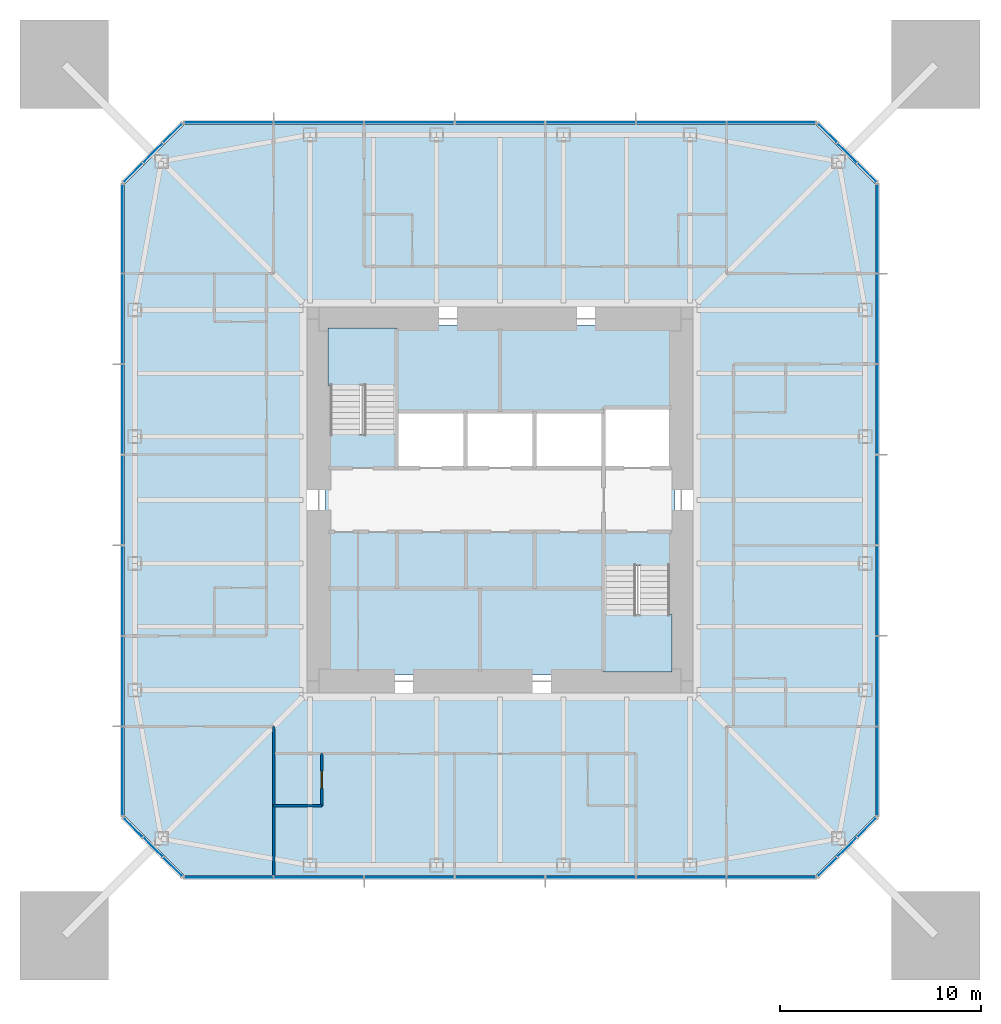
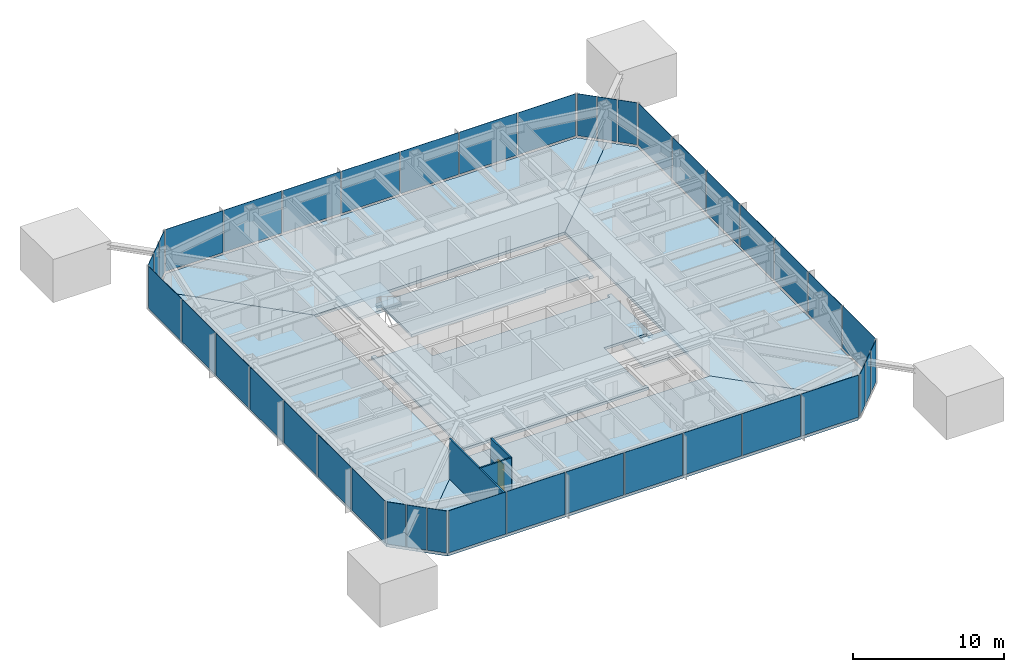
# One storey, part 5 of 11: 40 plates, 8 slabs, 3 walls, 1 door, 1 opening, 10 elements without a shape of their own.
"""IFC4 building model written with IfcOpenShell, lengths in metres."""

import ifcopenshell
import ifcopenshell.guid

model = None  # the IFC model being written
_history = None  # IfcOwnerHistory: only IFC2X3 demands one
_inside = {}  # id of a spatial element -> (the spatial element, [elements in it])
_under = {}  # id of a project, library or spatial element -> (it, [spatial elements below it])
_declared = {}  # id of a project -> (the project, [libraries it declares])
_typed = {}  # id of a type object -> (the type object, [elements of that type])
_made_of = {}  # id of a material, layer set ... -> (it, [elements and type objects made of it])


def new_model(schema):
    """Start an empty IFC model of exactly this schema.

    Asked for "IFC4X3", IfcOpenShell would pick the latest addendum, in which some entities
    have other attributes; the version numbers below select the first issue.
    IFC2X3 requires an IfcOwnerHistory on every rooted entity: one is made here for all.
    """
    global model, _history
    if schema == "IFC4X3":
        model = ifcopenshell.file(schema_version=(4, 3, 0, 0))
    else:
        model = ifcopenshell.file(schema=schema)
    _inside.clear()
    _under.clear()
    _declared.clear()
    _typed.clear()
    _made_of.clear()
    _history = None
    if model.schema == "IFC2X3":
        org = make("IfcOrganization", Name="unknown")
        user = make(
            "IfcPersonAndOrganization",
            ThePerson=make("IfcPerson", FamilyName="unknown"),
            TheOrganization=org,
        )
        app = make(
            "IfcApplication",
            ApplicationDeveloper=org,
            Version="unknown",
            ApplicationFullName="unknown",
            ApplicationIdentifier="unknown",
        )
        _history = make(
            "IfcOwnerHistory",
            OwningUser=user,
            OwningApplication=app,
            ChangeAction="ADDED",
            CreationDate=0,
        )
    return model


def make(cls, **values):
    """One entity of the class cls with the attributes given. An attribute that is None is left unset."""
    return model.create_entity(
        cls, **{name: value for name, value in values.items() if value is not None}
    )


def rooted(cls, **values):
    """An entity with a GlobalId (a new one), such as an element, a storey or a relation."""
    return make(cls, GlobalId=ifcopenshell.guid.new(), OwnerHistory=_history, **values)


def si_unit(unit_type, name, prefix=None):
    """IfcSIUnit, for example si_unit("LENGTHUNIT", "METRE", prefix="MILLI")."""
    return make("IfcSIUnit", UnitType=unit_type, Prefix=prefix, Name=name)


def assignment(units):
    """IfcUnitAssignment: the units of a project."""
    return None if units is None else make("IfcUnitAssignment", Units=units)


def point(xyz):
    """IfcCartesianPoint."""
    return None if xyz is None else make("IfcCartesianPoint", Coordinates=xyz)


def direction(xyz):
    """IfcDirection."""
    return None if xyz is None else make("IfcDirection", DirectionRatios=xyz)


def frame(location, z_axis=None, x_axis=None):
    """IfcAxis2Placement3D, a coordinate frame: its origin and axes. An axis left out is left unset."""
    return make(
        "IfcAxis2Placement3D",
        Location=point(location),
        Axis=direction(z_axis),
        RefDirection=direction(x_axis),
    )


def frame_2d(location, x_axis=None):
    """IfcAxis2Placement2D, a coordinate frame in the plane: its origin and x axis."""
    return make(
        "IfcAxis2Placement2D", Location=point(location), RefDirection=direction(x_axis)
    )


def origin():
    """The frame at (0, 0, 0) with its axes left unset."""
    return frame((0.0, 0.0, 0.0))


def origin_2d():
    """The frame at (0, 0) in the plane with its x axis left unset."""
    return frame_2d((0.0, 0.0))


def place(relative_to, where):
    """IfcLocalPlacement: puts the frame where relative to a parent placement (None: the world)."""
    return make(
        "IfcLocalPlacement", PlacementRelTo=relative_to, RelativePlacement=where
    )


def context(
    kind, dimensions, precision=None, world=None, true_north=None, identifier=None
):
    """IfcGeometricRepresentationContext, for example the 3D "Model" context."""
    return make(
        "IfcGeometricRepresentationContext",
        ContextIdentifier=identifier,
        ContextType=kind,
        CoordinateSpaceDimension=dimensions,
        Precision=precision,
        WorldCoordinateSystem=world,
        TrueNorth=true_north,
    )


def subcontext(parent, identifier, kind, view, scale=None):
    """IfcGeometricRepresentationSubContext, for example "Body" below "Model"."""
    return make(
        "IfcGeometricRepresentationSubContext",
        ContextIdentifier=identifier,
        ContextType=kind,
        ParentContext=parent,
        TargetScale=scale,
        TargetView=view,
    )


def project(units=None, contexts=None):
    """IfcProject with its units and contexts."""
    return rooted(
        "IfcProject",
        Name="project",
        RepresentationContexts=contexts,
        UnitsInContext=assignment(units),
    )


def spatial(cls, under=None, at=None, **own):
    """A site, building, storey or space (cls), placed at a placement, below another one or the project."""
    s = rooted(cls, ObjectPlacement=at, **own)
    if under is not None:
        _under.setdefault(under.id(), (under, []))[1].append(s)
    return s


def polyline(points):
    """IfcPolyline through the points."""
    return make("IfcPolyline", Points=[point(p) for p in points])


def profile(cls, at=None, kind="AREA", **sizes):
    """A parametric profile (cls). Its sizes go by their IFC names, for example OverallWidth=200.0."""
    return make(cls, ProfileType=kind, Position=at, **sizes)


def rectangle(**sizes):
    """IfcRectangleProfileDef."""
    return profile("IfcRectangleProfileDef", **sizes)


def outline(outer, holes=None, kind="AREA"):
    """IfcArbitraryClosedProfileDef: a profile drawn as a closed curve; with holes, ...WithVoids."""
    if holes is None:
        return make("IfcArbitraryClosedProfileDef", ProfileType=kind, OuterCurve=outer)
    return make(
        "IfcArbitraryProfileDefWithVoids",
        ProfileType=kind,
        OuterCurve=outer,
        InnerCurves=holes,
    )


def extrude(swept, where, along, depth):
    """IfcExtrudedAreaSolid: the profile swept, set in the frame where, extruded along a direction by depth."""
    return make(
        "IfcExtrudedAreaSolid",
        SweptArea=swept,
        Position=where,
        ExtrudedDirection=direction(along),
        Depth=depth,
    )


def shape(context_of_items, identifier, shape_type, items):
    """IfcShapeRepresentation: the items that make up one representation, for example the "Body"."""
    return make(
        "IfcShapeRepresentation",
        ContextOfItems=context_of_items,
        RepresentationIdentifier=identifier,
        RepresentationType=shape_type,
        Items=items,
    )


def material(Name=None, Category=None):
    """IfcMaterial."""
    return make("IfcMaterial", Name=Name, Category=Category)


def layer(
    of_material, thickness, ventilated=None, Name=None, Category=None, Priority=None
):
    """IfcMaterialLayer: one layer of a wall or slab, of a material (None: an air gap)."""
    return make(
        "IfcMaterialLayer",
        Material=of_material,
        LayerThickness=thickness,
        IsVentilated=ventilated,
        Name=Name,
        Category=Category,
        Priority=Priority,
    )


def layer_set(layers, Name=None):
    """IfcMaterialLayerSet."""
    return make("IfcMaterialLayerSet", MaterialLayers=layers, LayerSetName=Name)


def constituent(of_material, Name=None, Category=None, fraction=None):
    """IfcMaterialConstituent: one of the materials an element consists of."""
    return make(
        "IfcMaterialConstituent",
        Name=Name,
        Material=of_material,
        Fraction=fraction,
        Category=Category,
    )


def constituent_set(constituents=None, Name=None):
    """IfcMaterialConstituentSet."""
    return make(
        "IfcMaterialConstituentSet", Name=Name, MaterialConstituents=constituents
    )


def made_of(thing, what):
    """Note that an element or type object is made of a material, layer set ...; save() writes the relation."""
    if what is not None:
        _made_of.setdefault(what.id(), (what, []))[1].append(thing)
    return thing


def type_object(cls, material=None, **own):
    """A type object (cls), such as IfcWallType, which elements share."""
    return made_of(rooted(cls, **own), material)


def element(
    cls,
    number,
    at=None,
    inside=None,
    cuts=None,
    type_object=None,
    material=None,
    context=None,
    identifier="Body",
    shape_type=None,
    held_by="IfcProductDefinitionShape",
    body=None,
    shapes=None,
    **own,
):
    """One element of the class cls, such as IfcWall. Its Tag is "e" and its number.

    at: its placement. inside: the storey or other place that contains it. cuts: it is an
    opening in that element (IfcRelVoidsElement). A single representation is given by context,
    identifier, shape_type and body (its items); several are given by shapes. held_by: the class
    of the entity that holds the representations. save() writes the other relations.
    """
    e = rooted(cls, Tag="e%d" % number, ObjectPlacement=at, **own)
    if body is not None:
        shapes = [shape(context, identifier, shape_type, body)]
    if shapes is not None:
        e.Representation = make(held_by, Representations=shapes)
    if inside is not None:
        _inside.setdefault(inside.id(), (inside, []))[1].append(e)
    if cuts is not None:
        rooted(
            "IfcRelVoidsElement", RelatingBuildingElement=cuts, RelatedOpeningElement=e
        )
    if type_object is not None:
        _typed.setdefault(type_object.id(), (type_object, []))[1].append(e)
    return made_of(e, material)


def fill(opening, filler):
    """IfcRelFillsElement: the door or window that sits in an opening."""
    return rooted(
        "IfcRelFillsElement",
        RelatingOpeningElement=opening,
        RelatedBuildingElement=filler,
    )


def aggregate(whole, parts):
    """IfcRelAggregates: a whole, such as a stair, and the parts it consists of."""
    return rooted("IfcRelAggregates", RelatingObject=whole, RelatedObjects=parts)


def save(model, path):
    """Write the relations noted so far, then the file.

    IfcRelAggregates (storeys below a building ...), IfcRelContainedInSpatialStructure (elements
    in a storey), IfcRelDefinesByType, IfcRelAssociatesMaterial and IfcRelDeclares: one each for
    every whole, place, type object, material and project.
    """
    for whole, parts in _under.values():
        aggregate(whole, parts)
    for where, things in _inside.values():
        rooted(
            "IfcRelContainedInSpatialStructure",
            RelatedElements=things,
            RelatingStructure=where,
        )
    for kind, things in _typed.values():
        rooted("IfcRelDefinesByType", RelatedObjects=things, RelatingType=kind)
    for what, things in _made_of.values():
        rooted("IfcRelAssociatesMaterial", RelatedObjects=things, RelatingMaterial=what)
    for by, libraries in _declared.values():
        rooted("IfcRelDeclares", RelatingContext=by, RelatedDefinitions=libraries)
    model.write(path)


model = new_model("IFC4")

# Units and contexts
model_context = context("Model", 3, precision=1e-05, world=origin(), true_north=direction((0.0, 1.0)))
body_context = subcontext(model_context, "Body", "Model", "MODEL_VIEW")
ifc_project = project(units=[si_unit("LENGTHUNIT", "METRE"), si_unit("AREAUNIT", "SQUARE_METRE"), si_unit("VOLUMEUNIT", "CUBIC_METRE"), si_unit("PLANEANGLEUNIT", "RADIAN"), si_unit("MASSUNIT", "GRAM", prefix="KILO")], contexts=[model_context])

# Site, building, storey
site_placement = place(None, origin())
site = spatial("IfcSite", under=ifc_project, at=site_placement, CompositionType="ELEMENT")
building_placement = place(site_placement, origin())
building = spatial("IfcBuilding", under=site, at=building_placement, Name="Iwan Alto Co-Living Towers", CompositionType="ELEMENT")
storey_placement = place(building_placement, frame((0.0, 0.0, 195.0)))
storey = spatial("IfcBuildingStorey", under=building, at=storey_placement, Name="L53", CompositionType="ELEMENT", Elevation=195.0)

# Slabs
ifc_material_1 = material(Name="Concrete f'c 30 MPa", Category="concrete")
ifc_layer_1 = layer(ifc_material_1, 0.199951171875)
ifc_layer_set_1 = layer_set([ifc_layer_1], Name="CORE FLOOR SLAB 200")
slab_type_1 = type_object("IfcSlabType", Name="CORE FLOOR SLAB 200", PredefinedType="FLOOR", material=ifc_layer_set_1)
slab_1_placement = place(storey_placement, frame((0.0, 0.0, -0.199951171875)))
element("IfcSlab", 1, at=slab_1_placement, inside=storey, type_object=slab_type_1, Name="T1 core floor L53", PredefinedType="FLOOR", context=body_context, shape_type="SweptSolid", body=[
    extrude(outline(polyline([(5.14990234375, -8.39990234375), (5.4599609375, -8.39990234375), (5.4599609375, -8.699951171875), (-8.699951171875, -8.699951171875), (-8.699951171875, 3.580078125), (-8.39990234375, 3.580078125), (-8.39990234375, 3.27001953125), (-5.14990234375, 3.27001953125), (-5.14990234375, 1.60009765625), (-1.717041015625, 1.60009765625), (1.717041015625, 1.60009765625), (5.14990234375, 1.60009765625), (8.39990234375, 1.60009765625), (8.39990234375, 1.909912109375), (8.699951171875, 1.909912109375), (8.699951171875, -3.580078125), (8.39990234375, -3.580078125), (8.39990234375, -3.27001953125), (5.14990234375, -3.27001953125), (5.14990234375, -8.39990234375)])), origin(), (0.0, 0.0, 1.0), 0.199951171875),
])
slab_2_placement = place(storey_placement, frame((0.0, 0.0, -0.199951171875)))
element("IfcSlab", 2, at=slab_2_placement, inside=storey, type_object=slab_type_1, Name="T1 core floor L53", PredefinedType="FLOOR", context=body_context, shape_type="SweptSolid", body=[
    extrude(outline(polyline([(1.717041015625, 4.39990234375), (-1.717041015625, 4.39990234375), (-5.14990234375, 4.39990234375), (-5.14990234375, 8.39990234375), (-5.4599609375, 8.39990234375), (-5.4599609375, 8.699951171875), (8.699951171875, 8.699951171875), (8.699951171875, 4.2900390625), (8.39990234375, 4.2900390625), (8.39990234375, 4.60009765625), (5.14990234375, 4.60009765625), (5.14990234375, 4.39990234375), (1.717041015625, 4.39990234375)])), origin(), (0.0, 0.0, 1.0), 0.199951171875),
])

# Curtain wall, plates
ifc_material_2 = material(Name="Bronze aluminium unitised frame", Category="aluminium")
curtain_wall_type_1 = type_object("IfcCurtainWallType", Name="CURTAIN WALL CW-A", PredefinedType="NOTDEFINED", material=ifc_material_2)
curtain_wall_1_placement = place(storey_placement, origin())
curtain_wall_1 = element("IfcCurtainWall", 3, at=curtain_wall_1_placement, inside=storey, type_object=curtain_wall_type_1, Name="T1 curtain wall S L53", PredefinedType="NOTDEFINED")
ifc_material_3 = material(Name="Bronze-tinted insulating glass", Category="glass")
ifc_layer_2 = layer(ifc_material_3, 0.031982421875)
ifc_layer_set_2 = layer_set([ifc_layer_2], Name="CW-A PANEL TINTED IGU 32")
plate_type_1 = type_object("IfcPlateType", Name="CW-A PANEL TINTED IGU 32", PredefinedType="CURTAIN_PANEL", material=ifc_layer_set_2)
plate_1_placement = place(storey_placement, frame((-13.47998046875, -18.75, 0.10009765625), z_axis=(0.0, 0.0, 1.0), x_axis=(1.0, 0.0, 0.0)))
plate_1 = element("IfcPlate", 4, at=plate_1_placement, type_object=plate_type_1, Name="CW-A panel 1.1", PredefinedType="CURTAIN_PANEL", context=body_context, shape_type="SweptSolid", body=[
    extrude(rectangle(XDim=4.3798828125, YDim=0.031982421875, at=origin_2d()), origin(), (0.0, 0.0, 1.0), 3.39990234375),
])
plate_2_placement = place(storey_placement, frame((-9.0, -18.75, 0.10009765625), z_axis=(0.0, 0.0, 1.0), x_axis=(1.0, 0.0, 0.0)))
plate_2 = element("IfcPlate", 5, at=plate_2_placement, type_object=plate_type_1, Name="CW-A panel 2.1", PredefinedType="CURTAIN_PANEL", context=body_context, shape_type="SweptSolid", body=[
    extrude(rectangle(XDim=4.419921875, YDim=0.031982421875, at=origin_2d()), origin(), (0.0, 0.0, 1.0), 3.39990234375),
])
plate_3_placement = place(storey_placement, frame((-4.5, -18.75, 0.10009765625), z_axis=(0.0, 0.0, 1.0), x_axis=(1.0, 0.0, 0.0)))
plate_3 = element("IfcPlate", 6, at=plate_3_placement, type_object=plate_type_1, Name="CW-A panel 3.1", PredefinedType="CURTAIN_PANEL", context=body_context, shape_type="SweptSolid", body=[
    extrude(rectangle(XDim=4.419921875, YDim=0.031982421875, at=origin_2d()), origin(), (0.0, 0.0, 1.0), 3.39990234375),
])
plate_4_placement = place(storey_placement, frame((0.0, -18.75, 0.10009765625), z_axis=(0.0, 0.0, 1.0), x_axis=(1.0, 0.0, 0.0)))
plate_4 = element("IfcPlate", 7, at=plate_4_placement, type_object=plate_type_1, Name="CW-A panel 4.1", PredefinedType="CURTAIN_PANEL", context=body_context, shape_type="SweptSolid", body=[
    extrude(rectangle(XDim=4.419921875, YDim=0.031982421875, at=origin_2d()), origin(), (0.0, 0.0, 1.0), 3.39990234375),
])
plate_5_placement = place(storey_placement, frame((4.5, -18.75, 0.10009765625), z_axis=(0.0, 0.0, 1.0), x_axis=(1.0, 0.0, 0.0)))
plate_5 = element("IfcPlate", 8, at=plate_5_placement, type_object=plate_type_1, Name="CW-A panel 5.1", PredefinedType="CURTAIN_PANEL", context=body_context, shape_type="SweptSolid", body=[
    extrude(rectangle(XDim=4.419921875, YDim=0.031982421875, at=origin_2d()), origin(), (0.0, 0.0, 1.0), 3.39990234375),
])
plate_6_placement = place(storey_placement, frame((9.0, -18.75, 0.10009765625), z_axis=(0.0, 0.0, 1.0), x_axis=(1.0, 0.0, 0.0)))
plate_6 = element("IfcPlate", 9, at=plate_6_placement, type_object=plate_type_1, Name="CW-A panel 6.1", PredefinedType="CURTAIN_PANEL", context=body_context, shape_type="SweptSolid", body=[
    extrude(rectangle(XDim=4.419921875, YDim=0.031982421875, at=origin_2d()), origin(), (0.0, 0.0, 1.0), 3.39990234375),
])
plate_7_placement = place(storey_placement, frame((13.47998046875, -18.75, 0.10009765625), z_axis=(0.0, 0.0, 1.0), x_axis=(1.0, 0.0, 0.0)))
plate_7 = element("IfcPlate", 10, at=plate_7_placement, type_object=plate_type_1, Name="CW-A panel 7.1", PredefinedType="CURTAIN_PANEL", context=body_context, shape_type="SweptSolid", body=[
    extrude(rectangle(XDim=4.3798828125, YDim=0.031982421875, at=origin_2d()), origin(), (0.0, 0.0, 1.0), 3.39990234375),
])
aggregate(curtain_wall_1, [plate_1, plate_2, plate_3, plate_4, plate_5, plate_6, plate_7])

curtain_wall_2_placement = place(storey_placement, origin())
curtain_wall_2 = element("IfcCurtainWall", 11, at=curtain_wall_2_placement, inside=storey, type_object=curtain_wall_type_1, Name="T1 curtain wall E L53", PredefinedType="NOTDEFINED")
plate_8_placement = place(storey_placement, frame((18.75, -13.47998046875, 0.10009765625), z_axis=(0.0, 0.0, 1.0), x_axis=(0.0, 1.0, 0.0)))
plate_8 = element("IfcPlate", 12, at=plate_8_placement, type_object=plate_type_1, Name="CW-A panel 1.1", PredefinedType="CURTAIN_PANEL", context=body_context, shape_type="SweptSolid", body=[
    extrude(rectangle(XDim=4.3798828125, YDim=0.031982421875, at=origin_2d()), origin(), (0.0, 0.0, 1.0), 3.39990234375),
])
plate_9_placement = place(storey_placement, frame((18.75, -9.0, 0.10009765625), z_axis=(0.0, 0.0, 1.0), x_axis=(0.0, 1.0, 0.0)))
plate_9 = element("IfcPlate", 13, at=plate_9_placement, type_object=plate_type_1, Name="CW-A panel 2.1", PredefinedType="CURTAIN_PANEL", context=body_context, shape_type="SweptSolid", body=[
    extrude(rectangle(XDim=4.419921875, YDim=0.031982421875, at=origin_2d()), origin(), (0.0, 0.0, 1.0), 3.39990234375),
])
plate_10_placement = place(storey_placement, frame((18.75, -4.5, 0.10009765625), z_axis=(0.0, 0.0, 1.0), x_axis=(0.0, 1.0, 0.0)))
plate_10 = element("IfcPlate", 14, at=plate_10_placement, type_object=plate_type_1, Name="CW-A panel 3.1", PredefinedType="CURTAIN_PANEL", context=body_context, shape_type="SweptSolid", body=[
    extrude(rectangle(XDim=4.419921875, YDim=0.031982421875, at=origin_2d()), origin(), (0.0, 0.0, 1.0), 3.39990234375),
])
plate_11_placement = place(storey_placement, frame((18.75, 0.0, 0.10009765625), z_axis=(0.0, 0.0, 1.0), x_axis=(0.0, 1.0, 0.0)))
plate_11 = element("IfcPlate", 15, at=plate_11_placement, type_object=plate_type_1, Name="CW-A panel 4.1", PredefinedType="CURTAIN_PANEL", context=body_context, shape_type="SweptSolid", body=[
    extrude(rectangle(XDim=4.419921875, YDim=0.031982421875, at=origin_2d()), origin(), (0.0, 0.0, 1.0), 3.39990234375),
])
plate_12_placement = place(storey_placement, frame((18.75, 4.5, 0.10009765625), z_axis=(0.0, 0.0, 1.0), x_axis=(0.0, 1.0, 0.0)))
plate_12 = element("IfcPlate", 16, at=plate_12_placement, type_object=plate_type_1, Name="CW-A panel 5.1", PredefinedType="CURTAIN_PANEL", context=body_context, shape_type="SweptSolid", body=[
    extrude(rectangle(XDim=4.419921875, YDim=0.031982421875, at=origin_2d()), origin(), (0.0, 0.0, 1.0), 3.39990234375),
])
plate_13_placement = place(storey_placement, frame((18.75, 9.0, 0.10009765625), z_axis=(0.0, 0.0, 1.0), x_axis=(0.0, 1.0, 0.0)))
plate_13 = element("IfcPlate", 17, at=plate_13_placement, type_object=plate_type_1, Name="CW-A panel 6.1", PredefinedType="CURTAIN_PANEL", context=body_context, shape_type="SweptSolid", body=[
    extrude(rectangle(XDim=4.419921875, YDim=0.031982421875, at=origin_2d()), origin(), (0.0, 0.0, 1.0), 3.39990234375),
])
plate_14_placement = place(storey_placement, frame((18.75, 13.47998046875, 0.10009765625), z_axis=(0.0, 0.0, 1.0), x_axis=(0.0, 1.0, 0.0)))
plate_14 = element("IfcPlate", 18, at=plate_14_placement, type_object=plate_type_1, Name="CW-A panel 7.1", PredefinedType="CURTAIN_PANEL", context=body_context, shape_type="SweptSolid", body=[
    extrude(rectangle(XDim=4.3798828125, YDim=0.031982421875, at=origin_2d()), origin(), (0.0, 0.0, 1.0), 3.39990234375),
])
aggregate(curtain_wall_2, [plate_8, plate_9, plate_10, plate_11, plate_12, plate_13, plate_14])

curtain_wall_3_placement = place(storey_placement, origin())
curtain_wall_3 = element("IfcCurtainWall", 19, at=curtain_wall_3_placement, inside=storey, type_object=curtain_wall_type_1, Name="T1 curtain wall N L53", PredefinedType="NOTDEFINED")
plate_15_placement = place(storey_placement, frame((13.47998046875, 18.75, 0.10009765625), z_axis=(0.0, 0.0, 1.0), x_axis=(-1.0, 0.0, 0.0)))
plate_15 = element("IfcPlate", 20, at=plate_15_placement, type_object=plate_type_1, Name="CW-A panel 1.1", PredefinedType="CURTAIN_PANEL", context=body_context, shape_type="SweptSolid", body=[
    extrude(rectangle(XDim=4.3798828125, YDim=0.031982421875, at=origin_2d()), origin(), (0.0, 0.0, 1.0), 3.39990234375),
])
plate_16_placement = place(storey_placement, frame((9.0, 18.75, 0.10009765625), z_axis=(0.0, 0.0, 1.0), x_axis=(-1.0, 0.0, 0.0)))
plate_16 = element("IfcPlate", 21, at=plate_16_placement, type_object=plate_type_1, Name="CW-A panel 2.1", PredefinedType="CURTAIN_PANEL", context=body_context, shape_type="SweptSolid", body=[
    extrude(rectangle(XDim=4.419921875, YDim=0.031982421875, at=origin_2d()), origin(), (0.0, 0.0, 1.0), 3.39990234375),
])
plate_17_placement = place(storey_placement, frame((4.5, 18.75, 0.10009765625), z_axis=(0.0, 0.0, 1.0), x_axis=(-1.0, 0.0, 0.0)))
plate_17 = element("IfcPlate", 22, at=plate_17_placement, type_object=plate_type_1, Name="CW-A panel 3.1", PredefinedType="CURTAIN_PANEL", context=body_context, shape_type="SweptSolid", body=[
    extrude(rectangle(XDim=4.419921875, YDim=0.031982421875, at=origin_2d()), origin(), (0.0, 0.0, 1.0), 3.39990234375),
])
plate_18_placement = place(storey_placement, frame((0.0, 18.75, 0.10009765625), z_axis=(0.0, 0.0, 1.0), x_axis=(-1.0, 0.0, 0.0)))
plate_18 = element("IfcPlate", 23, at=plate_18_placement, type_object=plate_type_1, Name="CW-A panel 4.1", PredefinedType="CURTAIN_PANEL", context=body_context, shape_type="SweptSolid", body=[
    extrude(rectangle(XDim=4.419921875, YDim=0.031982421875, at=origin_2d()), origin(), (0.0, 0.0, 1.0), 3.39990234375),
])
plate_19_placement = place(storey_placement, frame((-4.5, 18.75, 0.10009765625), z_axis=(0.0, 0.0, 1.0), x_axis=(-1.0, 0.0, 0.0)))
plate_19 = element("IfcPlate", 24, at=plate_19_placement, type_object=plate_type_1, Name="CW-A panel 5.1", PredefinedType="CURTAIN_PANEL", context=body_context, shape_type="SweptSolid", body=[
    extrude(rectangle(XDim=4.419921875, YDim=0.031982421875, at=origin_2d()), origin(), (0.0, 0.0, 1.0), 3.39990234375),
])
plate_20_placement = place(storey_placement, frame((-9.0, 18.75, 0.10009765625), z_axis=(0.0, 0.0, 1.0), x_axis=(-1.0, 0.0, 0.0)))
plate_20 = element("IfcPlate", 25, at=plate_20_placement, type_object=plate_type_1, Name="CW-A panel 6.1", PredefinedType="CURTAIN_PANEL", context=body_context, shape_type="SweptSolid", body=[
    extrude(rectangle(XDim=4.419921875, YDim=0.031982421875, at=origin_2d()), origin(), (0.0, 0.0, 1.0), 3.39990234375),
])
plate_21_placement = place(storey_placement, frame((-13.47998046875, 18.75, 0.10009765625), z_axis=(0.0, 0.0, 1.0), x_axis=(-1.0, 0.0, 0.0)))
plate_21 = element("IfcPlate", 26, at=plate_21_placement, type_object=plate_type_1, Name="CW-A panel 7.1", PredefinedType="CURTAIN_PANEL", context=body_context, shape_type="SweptSolid", body=[
    extrude(rectangle(XDim=4.3798828125, YDim=0.031982421875, at=origin_2d()), origin(), (0.0, 0.0, 1.0), 3.39990234375),
])
aggregate(curtain_wall_3, [plate_15, plate_16, plate_17, plate_18, plate_19, plate_20, plate_21])

curtain_wall_4_placement = place(storey_placement, origin())
curtain_wall_4 = element("IfcCurtainWall", 27, at=curtain_wall_4_placement, inside=storey, type_object=curtain_wall_type_1, Name="T1 curtain wall W L53", PredefinedType="NOTDEFINED")
plate_22_placement = place(storey_placement, frame((-18.75, 13.47998046875, 0.10009765625), z_axis=(0.0, 0.0, 1.0), x_axis=(0.0, -1.0, 0.0)))
plate_22 = element("IfcPlate", 28, at=plate_22_placement, type_object=plate_type_1, Name="CW-A panel 1.1", PredefinedType="CURTAIN_PANEL", context=body_context, shape_type="SweptSolid", body=[
    extrude(rectangle(XDim=4.3798828125, YDim=0.031982421875, at=origin_2d()), origin(), (0.0, 0.0, 1.0), 3.39990234375),
])
plate_23_placement = place(storey_placement, frame((-18.75, 9.0, 0.10009765625), z_axis=(0.0, 0.0, 1.0), x_axis=(0.0, -1.0, 0.0)))
plate_23 = element("IfcPlate", 29, at=plate_23_placement, type_object=plate_type_1, Name="CW-A panel 2.1", PredefinedType="CURTAIN_PANEL", context=body_context, shape_type="SweptSolid", body=[
    extrude(rectangle(XDim=4.419921875, YDim=0.031982421875, at=origin_2d()), origin(), (0.0, 0.0, 1.0), 3.39990234375),
])
plate_24_placement = place(storey_placement, frame((-18.75, 4.5, 0.10009765625), z_axis=(0.0, 0.0, 1.0), x_axis=(0.0, -1.0, 0.0)))
plate_24 = element("IfcPlate", 30, at=plate_24_placement, type_object=plate_type_1, Name="CW-A panel 3.1", PredefinedType="CURTAIN_PANEL", context=body_context, shape_type="SweptSolid", body=[
    extrude(rectangle(XDim=4.419921875, YDim=0.031982421875, at=origin_2d()), origin(), (0.0, 0.0, 1.0), 3.39990234375),
])
plate_25_placement = place(storey_placement, frame((-18.75, 0.0, 0.10009765625), z_axis=(0.0, 0.0, 1.0), x_axis=(0.0, -1.0, 0.0)))
plate_25 = element("IfcPlate", 31, at=plate_25_placement, type_object=plate_type_1, Name="CW-A panel 4.1", PredefinedType="CURTAIN_PANEL", context=body_context, shape_type="SweptSolid", body=[
    extrude(rectangle(XDim=4.419921875, YDim=0.031982421875, at=origin_2d()), origin(), (0.0, 0.0, 1.0), 3.39990234375),
])
plate_26_placement = place(storey_placement, frame((-18.75, -4.5, 0.10009765625), z_axis=(0.0, 0.0, 1.0), x_axis=(0.0, -1.0, 0.0)))
plate_26 = element("IfcPlate", 32, at=plate_26_placement, type_object=plate_type_1, Name="CW-A panel 5.1", PredefinedType="CURTAIN_PANEL", context=body_context, shape_type="SweptSolid", body=[
    extrude(rectangle(XDim=4.419921875, YDim=0.031982421875, at=origin_2d()), origin(), (0.0, 0.0, 1.0), 3.39990234375),
])
plate_27_placement = place(storey_placement, frame((-18.75, -9.0, 0.10009765625), z_axis=(0.0, 0.0, 1.0), x_axis=(0.0, -1.0, 0.0)))
plate_27 = element("IfcPlate", 33, at=plate_27_placement, type_object=plate_type_1, Name="CW-A panel 6.1", PredefinedType="CURTAIN_PANEL", context=body_context, shape_type="SweptSolid", body=[
    extrude(rectangle(XDim=4.419921875, YDim=0.031982421875, at=origin_2d()), origin(), (0.0, 0.0, 1.0), 3.39990234375),
])
plate_28_placement = place(storey_placement, frame((-18.75, -13.47998046875, 0.10009765625), z_axis=(0.0, 0.0, 1.0), x_axis=(0.0, -1.0, 0.0)))
plate_28 = element("IfcPlate", 34, at=plate_28_placement, type_object=plate_type_1, Name="CW-A panel 7.1", PredefinedType="CURTAIN_PANEL", context=body_context, shape_type="SweptSolid", body=[
    extrude(rectangle(XDim=4.3798828125, YDim=0.031982421875, at=origin_2d()), origin(), (0.0, 0.0, 1.0), 3.39990234375),
])
aggregate(curtain_wall_4, [plate_22, plate_23, plate_24, plate_25, plate_26, plate_27, plate_28])

ifc_material_4 = material(Name="Bronze aluminium unitised frame", Category="aluminium")
curtain_wall_type_2 = type_object("IfcCurtainWallType", Name="CURTAIN WALL CW-B", PredefinedType="NOTDEFINED", material=ifc_material_4)
curtain_wall_5_placement = place(storey_placement, origin())
curtain_wall_5 = element("IfcCurtainWall", 35, at=curtain_wall_5_placement, inside=storey, type_object=curtain_wall_type_2, Name="T1 chamfer curtain wall SE L53", PredefinedType="NOTDEFINED")
ifc_material_5 = material(Name="Bronze-tinted insulating glass", Category="glass")
ifc_layer_3 = layer(ifc_material_5, 0.031982421875)
ifc_layer_set_3 = layer_set([ifc_layer_3], Name="CW-B PANEL TINTED IGU 32")
plate_type_2 = type_object("IfcPlateType", Name="CW-B PANEL TINTED IGU 32", PredefinedType="CURTAIN_PANEL", material=ifc_layer_set_3)
plate_29_placement = place(storey_placement, frame((16.26416015625, -18.23583984375, 0.10009765625), z_axis=(0.0, 0.0, 1.0), x_axis=(0.707106781187, 0.707106781187, 0.0)))
plate_29 = element("IfcPlate", 36, at=plate_29_placement, type_object=plate_type_2, Name="CW-B panel 1.1", PredefinedType="CURTAIN_PANEL", context=body_context, shape_type="SweptSolid", body=[
    extrude(rectangle(XDim=1.294189453125, YDim=0.031982421875, at=origin_2d()), origin(), (0.0, 0.0, 1.0), 3.39990234375),
])
plate_30_placement = place(storey_placement, frame((17.25, -17.25, 0.10009765625), z_axis=(0.0, 0.0, 1.0), x_axis=(0.707106781187, 0.707106781187, 0.0)))
plate_30 = element("IfcPlate", 37, at=plate_30_placement, type_object=plate_type_2, Name="CW-B panel 2.1", PredefinedType="CURTAIN_PANEL", context=body_context, shape_type="SweptSolid", body=[
    extrude(rectangle(XDim=1.334228515625, YDim=0.031982421875, at=origin_2d()), origin(), (0.0, 0.0, 1.0), 3.39990234375),
])
plate_31_placement = place(storey_placement, frame((18.23583984375, -16.26416015625, 0.10009765625), z_axis=(0.0, 0.0, 1.0), x_axis=(0.707106781187, 0.707106781187, 0.0)))
plate_31 = element("IfcPlate", 38, at=plate_31_placement, type_object=plate_type_2, Name="CW-B panel 3.1", PredefinedType="CURTAIN_PANEL", context=body_context, shape_type="SweptSolid", body=[
    extrude(rectangle(XDim=1.294189453125, YDim=0.031982421875, at=origin_2d()), origin(), (0.0, 0.0, 1.0), 3.39990234375),
])
aggregate(curtain_wall_5, [plate_29, plate_30, plate_31])

curtain_wall_6_placement = place(storey_placement, origin())
curtain_wall_6 = element("IfcCurtainWall", 39, at=curtain_wall_6_placement, inside=storey, type_object=curtain_wall_type_2, Name="T1 chamfer curtain wall NE L53", PredefinedType="NOTDEFINED")
plate_32_placement = place(storey_placement, frame((18.23583984375, 16.26416015625, 0.10009765625), z_axis=(0.0, 0.0, 1.0), x_axis=(-0.707106781187, 0.707106781187, 0.0)))
plate_32 = element("IfcPlate", 40, at=plate_32_placement, type_object=plate_type_2, Name="CW-B panel 1.1", PredefinedType="CURTAIN_PANEL", context=body_context, shape_type="SweptSolid", body=[
    extrude(rectangle(XDim=1.294189453125, YDim=0.031982421875, at=origin_2d()), origin(), (0.0, 0.0, 1.0), 3.39990234375),
])
plate_33_placement = place(storey_placement, frame((17.25, 17.25, 0.10009765625), z_axis=(0.0, 0.0, 1.0), x_axis=(-0.707106781187, 0.707106781187, 0.0)))
plate_33 = element("IfcPlate", 41, at=plate_33_placement, type_object=plate_type_2, Name="CW-B panel 2.1", PredefinedType="CURTAIN_PANEL", context=body_context, shape_type="SweptSolid", body=[
    extrude(rectangle(XDim=1.334228515625, YDim=0.031982421875, at=origin_2d()), origin(), (0.0, 0.0, 1.0), 3.39990234375),
])
plate_34_placement = place(storey_placement, frame((16.26416015625, 18.23583984375, 0.10009765625), z_axis=(0.0, 0.0, 1.0), x_axis=(-0.707106781187, 0.707106781187, 0.0)))
plate_34 = element("IfcPlate", 42, at=plate_34_placement, type_object=plate_type_2, Name="CW-B panel 3.1", PredefinedType="CURTAIN_PANEL", context=body_context, shape_type="SweptSolid", body=[
    extrude(rectangle(XDim=1.294189453125, YDim=0.031982421875, at=origin_2d()), origin(), (0.0, 0.0, 1.0), 3.39990234375),
])
aggregate(curtain_wall_6, [plate_32, plate_33, plate_34])

curtain_wall_7_placement = place(storey_placement, origin())
curtain_wall_7 = element("IfcCurtainWall", 43, at=curtain_wall_7_placement, inside=storey, type_object=curtain_wall_type_2, Name="T1 chamfer curtain wall NW L53", PredefinedType="NOTDEFINED")
plate_35_placement = place(storey_placement, frame((-16.26416015625, 18.23583984375, 0.10009765625), z_axis=(0.0, 0.0, 1.0), x_axis=(-0.707106781187, -0.707106781187, 0.0)))
plate_35 = element("IfcPlate", 44, at=plate_35_placement, type_object=plate_type_2, Name="CW-B panel 1.1", PredefinedType="CURTAIN_PANEL", context=body_context, shape_type="SweptSolid", body=[
    extrude(rectangle(XDim=1.294189453125, YDim=0.031982421875, at=origin_2d()), origin(), (0.0, 0.0, 1.0), 3.39990234375),
])
plate_36_placement = place(storey_placement, frame((-17.25, 17.25, 0.10009765625), z_axis=(0.0, 0.0, 1.0), x_axis=(-0.707106781187, -0.707106781187, 0.0)))
plate_36 = element("IfcPlate", 45, at=plate_36_placement, type_object=plate_type_2, Name="CW-B panel 2.1", PredefinedType="CURTAIN_PANEL", context=body_context, shape_type="SweptSolid", body=[
    extrude(rectangle(XDim=1.334228515625, YDim=0.031982421875, at=origin_2d()), origin(), (0.0, 0.0, 1.0), 3.39990234375),
])
plate_37_placement = place(storey_placement, frame((-18.23583984375, 16.26416015625, 0.10009765625), z_axis=(0.0, 0.0, 1.0), x_axis=(-0.707106781187, -0.707106781187, 0.0)))
plate_37 = element("IfcPlate", 46, at=plate_37_placement, type_object=plate_type_2, Name="CW-B panel 3.1", PredefinedType="CURTAIN_PANEL", context=body_context, shape_type="SweptSolid", body=[
    extrude(rectangle(XDim=1.294189453125, YDim=0.031982421875, at=origin_2d()), origin(), (0.0, 0.0, 1.0), 3.39990234375),
])
aggregate(curtain_wall_7, [plate_35, plate_36, plate_37])

curtain_wall_8_placement = place(storey_placement, origin())
curtain_wall_8 = element("IfcCurtainWall", 47, at=curtain_wall_8_placement, inside=storey, type_object=curtain_wall_type_2, Name="T1 chamfer curtain wall SW L53", PredefinedType="NOTDEFINED")
plate_38_placement = place(storey_placement, frame((-18.23583984375, -16.26416015625, 0.10009765625), z_axis=(0.0, 0.0, 1.0), x_axis=(0.707106781187, -0.707106781187, 0.0)))
plate_38 = element("IfcPlate", 48, at=plate_38_placement, type_object=plate_type_2, Name="CW-B panel 1.1", PredefinedType="CURTAIN_PANEL", context=body_context, shape_type="SweptSolid", body=[
    extrude(rectangle(XDim=1.294189453125, YDim=0.031982421875, at=origin_2d()), origin(), (0.0, 0.0, 1.0), 3.39990234375),
])
plate_39_placement = place(storey_placement, frame((-17.25, -17.25, 0.10009765625), z_axis=(0.0, 0.0, 1.0), x_axis=(0.707106781187, -0.707106781187, 0.0)))
plate_39 = element("IfcPlate", 49, at=plate_39_placement, type_object=plate_type_2, Name="CW-B panel 2.1", PredefinedType="CURTAIN_PANEL", context=body_context, shape_type="SweptSolid", body=[
    extrude(rectangle(XDim=1.334228515625, YDim=0.031982421875, at=origin_2d()), origin(), (0.0, 0.0, 1.0), 3.39990234375),
])
plate_40_placement = place(storey_placement, frame((-16.26416015625, -18.23583984375, 0.10009765625), z_axis=(0.0, 0.0, 1.0), x_axis=(0.707106781187, -0.707106781187, 0.0)))
plate_40 = element("IfcPlate", 50, at=plate_40_placement, type_object=plate_type_2, Name="CW-B panel 3.1", PredefinedType="CURTAIN_PANEL", context=body_context, shape_type="SweptSolid", body=[
    extrude(rectangle(XDim=1.294189453125, YDim=0.031982421875, at=origin_2d()), origin(), (0.0, 0.0, 1.0), 3.39990234375),
])
aggregate(curtain_wall_8, [plate_38, plate_39, plate_40])

# Stair, slab
ifc_material_6 = material(Name="Steel ASTM A36", Category="steel")
ifc_constituent_1 = constituent(ifc_material_6, Name="Stringers", Category="LoadBearing")
ifc_material_7 = material(Name="Concrete f'c 30 MPa", Category="concrete")
ifc_constituent_2 = constituent(ifc_material_7, Name="Tread fill", Category="Finish")
ifc_constituent_set = constituent_set(constituents=[ifc_constituent_1, ifc_constituent_2], Name="STAIR 3500 TWO-FLIGHT T1 CORE")
stair_type = type_object("IfcStairType", Name="STAIR 3500 TWO-FLIGHT T1 CORE", PredefinedType="HALF_TURN_STAIR", material=ifc_constituent_set)
stair_1_placement = place(storey_placement, origin())
stair_1 = element("IfcStair", 51, at=stair_1_placement, inside=storey, type_object=stair_type, Name="Stair T1-S1 L53 to L54", PredefinedType="HALF_TURN_STAIR")
ifc_material_8 = material(Name="Concrete f'c 30 MPa", Category="concrete")
ifc_layer_4 = layer(ifc_material_8, 0.199951171875)
ifc_layer_set_4 = layer_set([ifc_layer_4], Name="STAIR LANDING 200")
slab_type_2 = type_object("IfcSlabType", Name="STAIR LANDING 200", PredefinedType="LANDING", material=ifc_layer_set_4)
slab_3_placement = place(storey_placement, frame((0.0, 0.0, 1.550048828125)))
slab_3 = element("IfcSlab", 52, at=slab_3_placement, type_object=slab_type_2, Name="T1-S1 landing 1", PredefinedType="LANDING", context=body_context, shape_type="SweptSolid", body=[
    extrude(outline(polyline([(-8.550048828125, 5.68994140625), (-8.550048828125, 8.550048828125), (-5.14990234375, 8.550048828125), (-5.14990234375, 5.68994140625), (-8.550048828125, 5.68994140625)])), origin(), (0.0, 0.0, 1.0), 0.199951171875),
])
aggregate(stair_1, [slab_3])

stair_2_placement = place(storey_placement, origin())
stair_2 = element("IfcStair", 53, at=stair_2_placement, inside=storey, type_object=stair_type, Name="Stair T1-S2 L53 to L54", PredefinedType="HALF_TURN_STAIR")
slab_4_placement = place(storey_placement, frame((0.0, 0.0, 1.550048828125)))
slab_4 = element("IfcSlab", 54, at=slab_4_placement, type_object=slab_type_2, Name="T1-S2 landing 1", PredefinedType="LANDING", context=body_context, shape_type="SweptSolid", body=[
    extrude(outline(polyline([(5.14990234375, -5.68994140625), (5.14990234375, -8.550048828125), (8.550048828125, -8.550048828125), (8.550048828125, -5.68994140625), (5.14990234375, -5.68994140625)])), origin(), (0.0, 0.0, 1.0), 0.199951171875),
])
aggregate(stair_2, [slab_4])

# Slabs
ifc_material_9 = material(Name="Concrete f'c 30 MPa", Category="concrete")
ifc_layer_5 = layer(ifc_material_9, 0.22998046875)
ifc_layer_set_5 = layer_set([ifc_layer_5], Name="T1 FLOOR SLAB 230")
slab_type_3 = type_object("IfcSlabType", Name="T1 FLOOR SLAB 230", PredefinedType="FLOOR", material=ifc_layer_set_5)
slab_5_placement = place(storey_placement, frame((0.0, 0.0, -0.22998046875)))
element("IfcSlab", 55, at=slab_5_placement, inside=storey, type_object=slab_type_3, Name="T1 floor slab L53 S pour", PredefinedType="FLOOR", context=body_context, shape_type="SweptSolid", body=[
    extrude(outline(polyline([(15.69140625, -18.64990234375), (-15.69140625, -18.64990234375), (-17.170654296875, -17.170654296875), (-9.60009765625, -9.60009765625), (9.60009765625, -9.60009765625), (17.170654296875, -17.170654296875), (15.69140625, -18.64990234375)])), origin(), (0.0, 0.0, 1.0), 0.22998046875),
])
slab_6_placement = place(storey_placement, frame((0.0, 0.0, -0.22998046875)))
element("IfcSlab", 56, at=slab_6_placement, inside=storey, type_object=slab_type_3, Name="T1 floor slab L53 E pour", PredefinedType="FLOOR", context=body_context, shape_type="SweptSolid", body=[
    extrude(outline(polyline([(18.64990234375, 15.69140625), (18.64990234375, -15.69140625), (17.170654296875, -17.170654296875), (9.60009765625, -9.60009765625), (9.60009765625, 9.60009765625), (17.170654296875, 17.170654296875), (18.64990234375, 15.69140625)])), origin(), (0.0, 0.0, 1.0), 0.22998046875),
])
slab_7_placement = place(storey_placement, frame((0.0, 0.0, -0.22998046875)))
element("IfcSlab", 57, at=slab_7_placement, inside=storey, type_object=slab_type_3, Name="T1 floor slab L53 N pour", PredefinedType="FLOOR", context=body_context, shape_type="SweptSolid", body=[
    extrude(outline(polyline([(-15.69140625, 18.64990234375), (15.69140625, 18.64990234375), (17.170654296875, 17.170654296875), (9.60009765625, 9.60009765625), (-9.60009765625, 9.60009765625), (-17.170654296875, 17.170654296875), (-15.69140625, 18.64990234375)])), origin(), (0.0, 0.0, 1.0), 0.22998046875),
])
slab_8_placement = place(storey_placement, frame((0.0, 0.0, -0.22998046875)))
element("IfcSlab", 58, at=slab_8_placement, inside=storey, type_object=slab_type_3, Name="T1 floor slab L53 W pour", PredefinedType="FLOOR", context=body_context, shape_type="SweptSolid", body=[
    extrude(outline(polyline([(-18.64990234375, 15.69140625), (-17.170654296875, 17.170654296875), (-9.60009765625, 9.60009765625), (-9.60009765625, -9.60009765625), (-17.170654296875, -17.170654296875), (-18.64990234375, -15.69140625), (-18.64990234375, 15.69140625)])), origin(), (0.0, 0.0, 1.0), 0.22998046875),
])

# Wall
ifc_material_10 = material(Name="Cement board")
ifc_layer_6 = layer(ifc_material_10, 0.012451171875, Name="Board", Category="Finish")
ifc_material_11 = material(Name="Steel ASTM A1003 ST33H cold-formed studs", Category="steel")
ifc_layer_7 = layer(ifc_material_11, 0.094970703125, Name="Studs", Category="Framing")
ifc_layer_8 = layer(ifc_material_10, 0.012451171875, Name="Board", Category="Finish")
ifc_layer_set_6 = layer_set([ifc_layer_6, ifc_layer_7, ifc_layer_8], Name="WET AREA PARTITION 120")
wall_type = type_object("IfcWallType", Name="WET AREA PARTITION 120", PredefinedType="PARTITIONING", material=ifc_layer_set_6)
wall_1_placement = place(storey_placement, frame((-11.25, -15.199951171875, 0.0), z_axis=(0.0, 0.0, 1.0), x_axis=(1.0, 0.0, 0.0)))
element("IfcWall", 59, at=wall_1_placement, inside=storey, type_object=wall_type, Name="Partition L53", PredefinedType="PARTITIONING", context=body_context, shape_type="SweptSolid", body=[
    extrude(rectangle(XDim=2.39990234375, YDim=0.1201171875, at=frame_2d((1.199951171875, 0.0))), origin(), (0.0, 0.0, 1.0), 3.27001953125),
])

# Wall, opening, door
wall_2_placement = place(storey_placement, frame((-8.85009765625, -15.199951171875, 0.0), z_axis=(0.0, 0.0, 1.0), x_axis=(0.0, 1.0, 0.0)))
wall_2 = element("IfcWall", 60, at=wall_2_placement, inside=storey, type_object=wall_type, Name="Partition L53", PredefinedType="PARTITIONING", context=body_context, shape_type="SweptSolid", body=[
    extrude(rectangle(XDim=2.599853515625, YDim=0.1201171875, at=frame_2d((1.2998046875, 0.0))), origin(), (0.0, 0.0, 1.0), 3.27001953125),
])
opening_placement = place(wall_2_placement, frame((0.875, 0.0, 0.0)))
opening = element("IfcOpeningElement", 61, at=opening_placement, cuts=wall_2, Name="Opening D2", PredefinedType="OPENING", context=body_context, shape_type="SweptSolid", body=[
    extrude(rectangle(XDim=0.85009765625, YDim=2.10009765625, at=frame_2d((0.425048828125, 1.050048828125))), frame((0.0, 0.070068359375, 0.0), z_axis=(0.0, -1.0, 0.0), x_axis=(1.0, 0.0, 0.0)), (0.0, 0.0, 1.0), 0.14013671875),
])
ifc_material_12 = material(Name="Timber leaf in steel frame", Category="steel")
door_type = type_object("IfcDoorType", Name="ROOM DOOR 850X2100", OperationType="SINGLE_SWING_LEFT", PredefinedType="DOOR", material=ifc_material_12)
door_placement = place(opening_placement, frame((0.85009765625, 0.0, 0.0), z_axis=(0.0, 0.0, 1.0), x_axis=(-1.0, 0.0, 0.0)))
door = element("IfcDoor", 62, at=door_placement, inside=storey, type_object=door_type, Name="En-suite shower room door L53", OperationType="SINGLE_SWING_LEFT", OverallHeight=2.10009765625, OverallWidth=0.85009765625, PredefinedType="DOOR", context=body_context, shape_type="SweptSolid", body=[
    extrude(rectangle(XDim=0.85009765625, YDim=2.10009765625, at=frame_2d((0.425048828125, 1.050048828125))), frame((0.0, 0.02490234375, 0.0), z_axis=(0.0, -1.0, 0.0), x_axis=(1.0, 0.0, 0.0)), (0.0, 0.0, 1.0), 0.050048828125),
])
fill(opening, door)

# Wall
wall_3_placement = place(storey_placement, frame((-11.25, -18.68994140625, 0.0), z_axis=(0.0, 0.0, 1.0), x_axis=(0.0, 1.0, 0.0)))
element("IfcWall", 63, at=wall_3_placement, inside=storey, type_object=wall_type, Name="Partition L53", PredefinedType="PARTITIONING", context=body_context, shape_type="SweptSolid", body=[
    extrude(rectangle(XDim=7.43994140625, YDim=0.1201171875, at=frame_2d((3.719970703125, 0.0))), origin(), (0.0, 0.0, 1.0), 3.27001953125),
])

save(model, "model.ifc")
